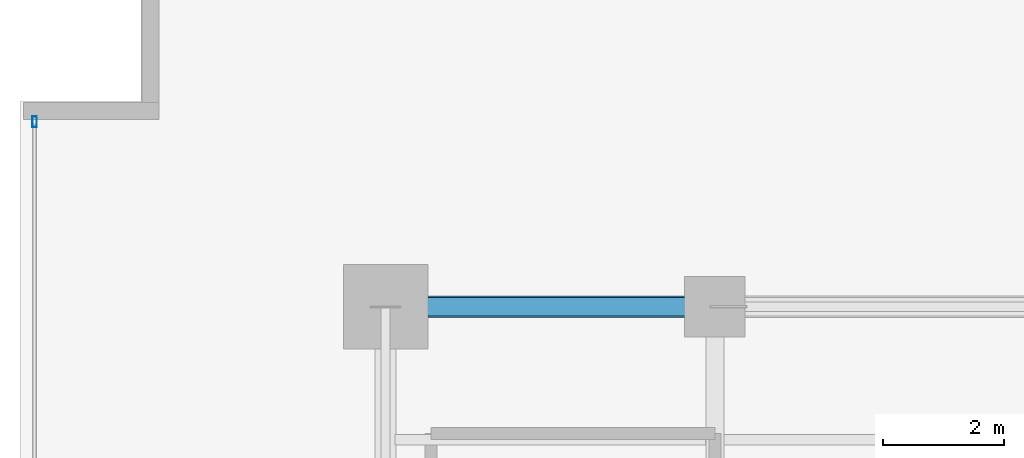
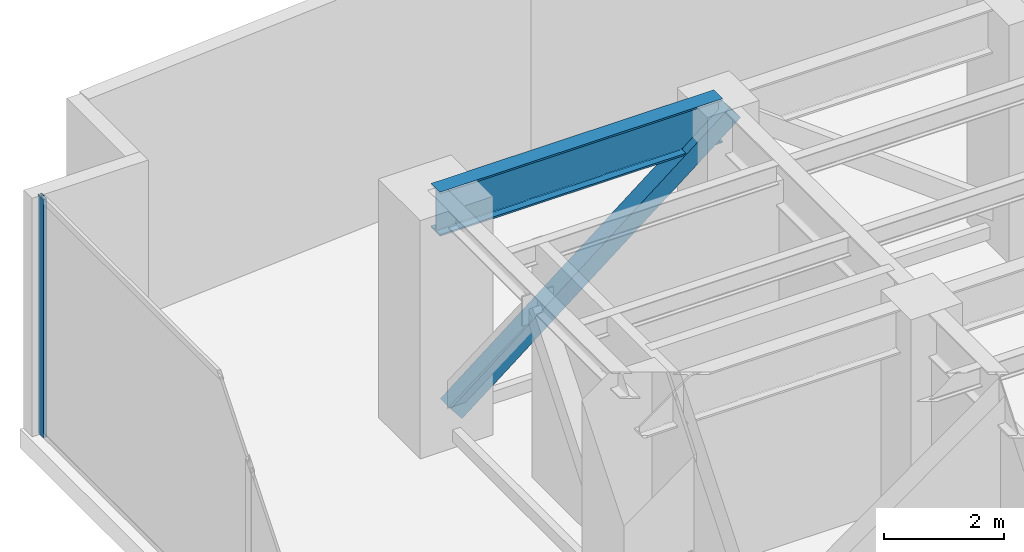
# One storey, part 22 of 37: 2 members, 1 beam, 1 element without a shape of its own.
"""IFC4 building model written with IfcOpenShell, lengths in metres."""

from ifc_helpers import new_model, si_unit, direction, frame, origin, origin_with_axes, origin_2d, place, context, subcontext, project, spatial, hollow_rectangle, i_section, extrude, source, transform, mapped, material, layer, layer_set, material_profile, profile_set, type_object, element, aggregate, save


model = new_model("IFC4")

# Units and contexts
model_context = context("Model", 3, precision=1e-05, world=origin(), true_north=direction((0.0, 1.0)))
body_context = subcontext(model_context, "Body", "Model", "MODEL_VIEW")
ifc_project = project(units=[si_unit("LENGTHUNIT", "METRE"), si_unit("AREAUNIT", "SQUARE_METRE"), si_unit("VOLUMEUNIT", "CUBIC_METRE"), si_unit("PLANEANGLEUNIT", "RADIAN"), si_unit("MASSUNIT", "GRAM", prefix="KILO")], contexts=[model_context])

# Site, building, storey
site_placement = place(None, origin())
site = spatial("IfcSite", under=ifc_project, at=site_placement, CompositionType="ELEMENT")
building_placement = place(site_placement, origin())
building = spatial("IfcBuilding", under=site, at=building_placement, Name="Kolvaren Waterfront Exchange", CompositionType="ELEMENT")
storey_placement = place(building_placement, frame((0.0, 0.0, 141.10009765625)))
storey = spatial("IfcBuildingStorey", under=building, at=storey_placement, Name="L36", CompositionType="ELEMENT", Elevation=141.10009765625)

# Beam
ifc_material_1 = material(Name="Steel S355", Category="steel")
ifc_material_profile_1 = material_profile(ifc_material_1, i_section(OverallWidth=0.300048828125, OverallDepth=0.89990234375, WebThickness=0.0185546875, FlangeThickness=0.034912109375, FilletRadius=0.030029296875, at=origin_2d()), Name="HEB900")
ifc_profile_set_1 = profile_set([ifc_material_profile_1], Name="Steel S355")
beam_type = type_object("IfcBeamType", Name="STR-BM-HEB900", PredefinedType="BEAM", material=ifc_profile_set_1)
beam_placement = place(storey_placement, frame((7.449951171875, 44.60009765625, 4.409912109375), z_axis=(1.0, 0.0, 0.0), x_axis=(0.0, 1.0, 0.0)))
element("IfcBeam", 1, at=beam_placement, inside=storey, type_object=beam_type, Name="L36 north-arm girder 4A", PredefinedType="BEAM", context=body_context, shape_type="SweptSolid", body=[
    extrude(i_section(OverallWidth=0.300048828125, OverallDepth=0.89990234375, WebThickness=0.0185546875, FlangeThickness=0.034912109375, FilletRadius=0.030029296875, at=origin_2d()), origin(), (0.0, 0.0, 1.0), 5.449951171875),
])

# Member
ifc_material_2 = material(Name="Steel S460", Category="steel")
ifc_material_profile_2 = material_profile(ifc_material_2, hollow_rectangle(XDim=0.35009765625, YDim=0.35009765625, WallThickness=0.01611328125, at=origin_2d()), Name="SHS350x350x16")
ifc_profile_set_2 = profile_set([ifc_material_profile_2], Name="Steel S460")
member_type_1 = type_object("IfcMemberType", Name="STR-BR-SHS350", PredefinedType="BRACE", material=ifc_profile_set_2)
member_1_placement = place(storey_placement, frame((7.75, 44.60009765625, 0.25), z_axis=(0.783705007858, 0.0, 0.621133206855), x_axis=(0.0, 1.0, 0.0)))
element("IfcMember", 2, at=member_1_placement, inside=storey, type_object=member_type_1, Name="L36 belt-truss chevron brace BT8L", PredefinedType="BRACE", context=body_context, shape_type="SweptSolid", body=[
    extrude(hollow_rectangle(XDim=0.35009765625, YDim=0.35009765625, WallThickness=0.01611328125, at=origin_2d()), origin(), (0.0, 0.0, 1.0), 6.8583984375),
])

# Curtain wall, member
ifc_material_3 = material(Name="Anodised dark bronze spandrel aluminium", Category="aluminium")
ifc_layer = layer(ifc_material_3, 0.219970703125, Name="Anodised dark bronze spandrel aluminium")
ifc_layer_set = layer_set([ifc_layer], Name="Anodised dark bronze spandrel aluminium")
curtain_wall_type = type_object("IfcCurtainWallType", Name="ARC-CW-SYS6", PredefinedType="USERDEFINED", material=ifc_layer_set)
curtain_wall_placement = place(storey_placement, origin())
curtain_wall = element("IfcCurtainWall", 3, at=curtain_wall_placement, inside=storey, type_object=curtain_wall_type, Name="L36 stick curtain wall CW6 (CW-L36-W)", ObjectType="STICK CURTAIN WALL", PredefinedType="USERDEFINED")
ifc_material_4 = material(Name="Anodised bronze aluminium 6063-T6", Category="aluminium")
ifc_material_profile_3 = material_profile(ifc_material_4, hollow_rectangle(XDim=0.074951171875, YDim=0.179931640625, WallThickness=0.00439453125, at=origin_2d()), Name="ALU-MUL-180x75x4.5")
ifc_profile_set_3 = profile_set([ifc_material_profile_3], Name="Anodised bronze aluminium 6063-T6")
member_type_2 = type_object("IfcMemberType", Name="ARC-CWM-180", PredefinedType="MULLION", material=ifc_profile_set_3)
shared_shape = source(origin_with_axes(), body_context, "Body", "SweptSolid", [
    extrude(hollow_rectangle(XDim=0.074951171875, YDim=0.179931640625, WallThickness=0.00439453125, at=origin_2d()), origin(), (0.0, 0.0, 1.0), 4.85986328125),
])
member_2_placement = place(storey_placement, frame((1.639892578125, 47.66259765625, 0.0), z_axis=(0.0, 0.0, 1.0), x_axis=(-1.0, 0.0, 0.0)))
member_2 = element("IfcMember", 4, at=member_2_placement, type_object=member_type_2, Name="CW6 mullion 7", PredefinedType="MULLION", context=body_context, shape_type="MappedRepresentation", body=[
    mapped(shared_shape, transform((0.0, 0.0, 0.0), x_axis=(1.0, 0.0, 0.0), y_axis=(0.0, 1.0, 0.0), z_axis=(0.0, 0.0, 1.0), scale=1.0)),
])
aggregate(curtain_wall, [member_2])

save(model, "model.ifc")
